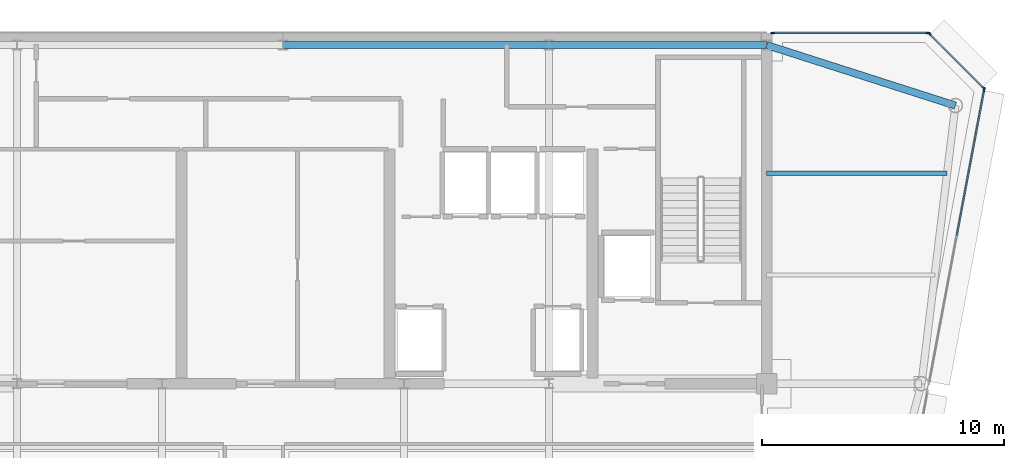
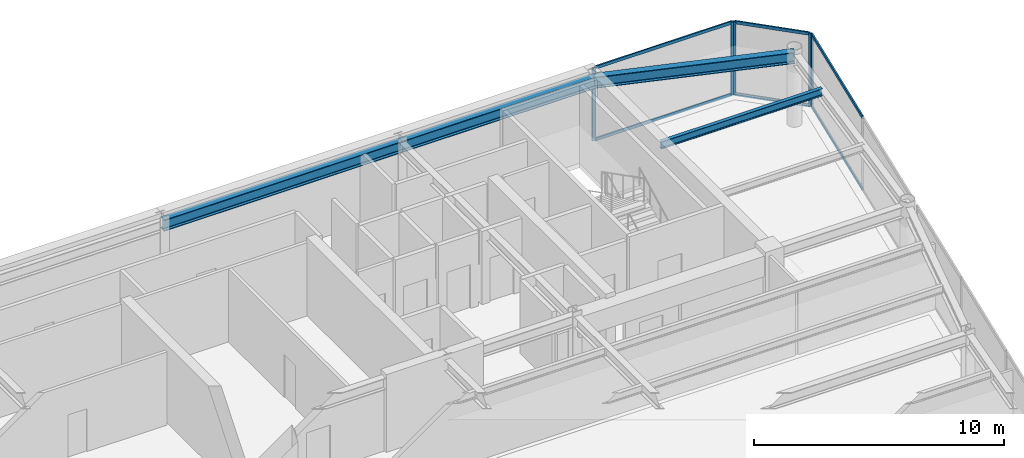
# One storey, part 9 of 19: 11 members, 4 beams, 3 elements without a shape of their own.
"""IFC4 building model written with IfcOpenShell, lengths in metres."""

from ifc_helpers import new_model, si_unit, direction, frame, origin, origin_2d, place, context, subcontext, project, spatial, rectangle, i_section, extrude, source, transform, mapped, material, layer, layer_set, material_profile, profile_set, type_object, element, aggregate, save


model = new_model("IFC4")

# Units and contexts
model_context = context("Model", 3, precision=1e-05, world=origin(), true_north=direction((0.0, 1.0)))
body_context = subcontext(model_context, "Body", "Model", "MODEL_VIEW")
ifc_project = project(units=[si_unit("LENGTHUNIT", "METRE"), si_unit("AREAUNIT", "SQUARE_METRE"), si_unit("VOLUMEUNIT", "CUBIC_METRE"), si_unit("PLANEANGLEUNIT", "RADIAN"), si_unit("MASSUNIT", "GRAM", prefix="KILO")], contexts=[model_context])

# Site, building, storey
site_placement = place(None, origin())
site = spatial("IfcSite", under=ifc_project, at=site_placement, CompositionType="ELEMENT")
building_placement = place(site_placement, origin())
building = spatial("IfcBuilding", under=site, at=building_placement, Name="Vaeldorn Concourse Tower", CompositionType="ELEMENT")
storey_placement = place(building_placement, frame((0.0, 0.0, 276.39990234375)))
storey = spatial("IfcBuildingStorey", under=building, at=storey_placement, Name="L71", CompositionType="ELEMENT", Elevation=276.39990234375)

# Beams
ifc_material_1 = material(Name="Steel S355", Category="steel")
ifc_material_profile_1 = material_profile(ifc_material_1, i_section(OverallWidth=0.300048828125, OverallDepth=0.550048828125, WebThickness=0.014892578125, FlangeThickness=0.029052734375, FilletRadius=0.027099609375, at=origin_2d()), Name="HEB 550")
ifc_profile_set_1 = profile_set([ifc_material_profile_1], Name="Steel S355")
beam_type_1 = type_object("IfcBeamType", Name="BM-PG-HEB550", PredefinedType="BEAM", material=ifc_profile_set_1)
shared_shape_1 = source(origin(), body_context, "Body", "SweptSolid", [
    extrude(i_section(OverallWidth=0.300048828125, OverallDepth=0.550048828125, WebThickness=0.014892578125, FlangeThickness=0.029052734375, FilletRadius=0.027099609375, at=origin_2d()), origin(), (0.0, 0.0, 1.0), 9.0),
])
beam_1_placement = place(storey_placement, frame((45.0, 50.5, 3.30517578125), z_axis=(1.0, 0.0, 0.0), x_axis=(0.0, 1.0, 0.0)))
element("IfcBeam", 1, at=beam_1_placement, inside=storey, type_object=beam_type_1, Name="Beam BM-L71-C-HC4-C-HC5", PredefinedType="BEAM", context=body_context, shape_type="MappedRepresentation", body=[
    mapped(shared_shape_1, transform((0.0, 0.0, 0.0), scale=1.0)),
])
shared_shape_2 = source(origin(), body_context, "Body", "SweptSolid", [
    extrude(i_section(OverallWidth=0.300048828125, OverallDepth=0.550048828125, WebThickness=0.014892578125, FlangeThickness=0.029052734375, FilletRadius=0.027099609375, at=origin_2d()), origin(), (0.0, 0.0, 1.0), 11.0),
])
beam_2_placement = place(storey_placement, frame((34.0, 50.5, 3.30517578125), z_axis=(1.0, 0.0, 0.0), x_axis=(0.0, 1.0, 0.0)))
element("IfcBeam", 2, at=beam_2_placement, inside=storey, type_object=beam_type_1, Name="Beam BM-L71-C-HC3-C-HC4", PredefinedType="BEAM", context=body_context, shape_type="MappedRepresentation", body=[
    mapped(shared_shape_2, transform((0.0, 0.0, 0.0), scale=1.0)),
])
shared_shape_3 = source(origin(), body_context, "Body", "SweptSolid", [
    extrude(i_section(OverallWidth=0.300048828125, OverallDepth=0.550048828125, WebThickness=0.014892578125, FlangeThickness=0.029052734375, FilletRadius=0.027099609375, at=origin_2d()), origin(), (0.0, 0.0, 1.0), 8.19091796875),
])
beam_3_placement = place(storey_placement, frame((54.0, 50.5, 3.30517578125), z_axis=(0.952282843383, -0.305216949396, 0.0), x_axis=(0.305216949396, 0.952282843383, 0.0)))
element("IfcBeam", 3, at=beam_3_placement, inside=storey, type_object=beam_type_1, Name="Beam BM-L71-C-HC5-C-NE1", PredefinedType="BEAM", context=body_context, shape_type="MappedRepresentation", body=[
    mapped(shared_shape_3, transform((0.0, 0.0, 0.0), scale=1.0)),
])
ifc_material_profile_2 = material_profile(ifc_material_1, i_section(OverallWidth=0.169921875, OverallDepth=0.360107421875, WebThickness=0.008056640625, FlangeThickness=0.0126953125, FilletRadius=0.01806640625, at=origin_2d()), Name="IPE 360")
ifc_profile_set_2 = profile_set([ifc_material_profile_2], Name="Steel S355")
beam_type_2 = type_object("IfcBeamType", Name="BM-JS-IPE360", PredefinedType="JOIST", material=ifc_profile_set_2)
shared_shape_4 = source(origin(), body_context, "Body", "SweptSolid", [
    extrude(i_section(OverallWidth=0.169921875, OverallDepth=0.360107421875, WebThickness=0.008056640625, FlangeThickness=0.0126953125, FilletRadius=0.01806640625, at=origin_2d()), origin(), (0.0, 0.0, 1.0), 7.458984375),
])
beam_4_placement = place(storey_placement, frame((54.0, 45.199951171875, 3.400146484375), z_axis=(1.0, 0.0, 0.0), x_axis=(0.0, 1.0, 0.0)))
element("IfcBeam", 4, at=beam_4_placement, inside=storey, type_object=beam_type_2, Name="Beam JS-L71-NE-452", PredefinedType="JOIST", context=body_context, shape_type="MappedRepresentation", body=[
    mapped(shared_shape_4, transform((0.0, 0.0, 0.0), scale=1.0)),
])

# Curtain wall, members
ifc_material_2 = material(Name="Anodised Bronze Aluminium", Category="aluminium")
ifc_layer = layer(ifc_material_2, 0.179931640625)
ifc_layer_set = layer_set([ifc_layer], Name="Anodised Bronze Aluminium")
curtain_wall_type = type_object("IfcCurtainWallType", Name="CW-SYS-05", PredefinedType="NOTDEFINED", material=ifc_layer_set)
curtain_wall_1_placement = place(storey_placement, origin())
curtain_wall_1 = element("IfcCurtainWall", 5, at=curtain_wall_1_placement, inside=storey, type_object=curtain_wall_type, Name="Unitised Curtain Wall CW-L71-E08-1", PredefinedType="NOTDEFINED")
ifc_material_profile_3 = material_profile(ifc_material_2, rectangle(XDim=0.06494140625, YDim=0.14990234375, at=origin_2d()), Name="CWT 65x150")
ifc_profile_set_3 = profile_set([ifc_material_profile_3], Name="Anodised Bronze Aluminium")
member_type_1 = type_object("IfcMemberType", Name="CWT-BRONZE-150", PredefinedType="USERDEFINED", material=ifc_profile_set_3)
shared_shape_5 = source(origin(), body_context, "Body", "SweptSolid", [
    extrude(rectangle(XDim=0.06494140625, YDim=0.14990234375, at=origin_2d()), origin(), (0.0, 0.0, 1.0), 3.123046875),
])
member_1_placement = place(storey_placement, frame((62.9541015625, 48.745849609375, 0.03271484375), z_axis=(-0.707106781187, 0.707106781187, 0.0), x_axis=(-0.707106781187, -0.707106781187, 0.0)))
member_1 = element("IfcMember", 6, at=member_1_placement, type_object=member_type_1, Name="CW-05 transom 1.1", ObjectType="TRANSOM", PredefinedType="USERDEFINED", context=body_context, shape_type="MappedRepresentation", body=[
    mapped(shared_shape_5, transform((0.0, 0.0, 0.0), scale=1.0)),
])
member_2_placement = place(storey_placement, frame((62.9541015625, 48.745849609375, 3.547607421875), z_axis=(-0.707106781187, 0.707106781187, 0.0), x_axis=(-0.707106781187, -0.707106781187, 0.0)))
member_2 = element("IfcMember", 7, at=member_2_placement, type_object=member_type_1, Name="CW-05 transom 1.2", ObjectType="TRANSOM", PredefinedType="USERDEFINED", context=body_context, shape_type="MappedRepresentation", body=[
    mapped(shared_shape_5, transform((0.0, 0.0, 0.0), scale=1.0)),
])

# Curtain wall, member
curtain_wall_2_placement = place(storey_placement, origin())
curtain_wall_2 = element("IfcCurtainWall", 8, at=curtain_wall_2_placement, inside=storey, type_object=curtain_wall_type, Name="Unitised Curtain Wall CW-L71-E07-2", PredefinedType="NOTDEFINED")
ifc_material_profile_4 = material_profile(ifc_material_2, rectangle(XDim=0.06494140625, YDim=0.169921875, at=origin_2d()), Name="CWM 65x170")
ifc_profile_set_4 = profile_set([ifc_material_profile_4], Name="Anodised Bronze Aluminium")
member_type_2 = type_object("IfcMemberType", Name="CWM-BRONZE-170", PredefinedType="MULLION", material=ifc_profile_set_4)
shared_shape_6 = source(origin(), body_context, "Body", "SweptSolid", [
    extrude(rectangle(XDim=0.06494140625, YDim=0.169921875, at=origin_2d()), origin(), (0.0, 0.0, 1.0), 3.580078125),
])
member_3_placement = place(storey_placement, frame((62.993896484375, 48.66796875, 0.0), z_axis=(0.0, 0.0, 1.0), x_axis=(-0.982880218842, 0.184245693053, 0.0)))
member_3 = element("IfcMember", 9, at=member_3_placement, type_object=member_type_2, Name="CW-05 mullion 3", PredefinedType="MULLION", context=body_context, shape_type="MappedRepresentation", body=[
    mapped(shared_shape_6, transform((0.0, 0.0, 0.0), scale=1.0)),
])

# Member
member_4_placement = place(storey_placement, frame((62.97705078125, 48.722900390625, 0.0), z_axis=(0.0, 0.0, 1.0), x_axis=(-0.707106781187, -0.707106781187, 0.0)))
member_4 = element("IfcMember", 10, at=member_4_placement, type_object=member_type_2, Name="CW-05 mullion 1", PredefinedType="MULLION", context=body_context, shape_type="MappedRepresentation", body=[
    mapped(shared_shape_6, transform((0.0, 0.0, 0.0), scale=1.0)),
])

member_5_placement = place(storey_placement, frame((60.722900390625, 50.97705078125, 0.0), z_axis=(0.0, 0.0, 1.0), x_axis=(-0.707106781187, -0.707106781187, 0.0)))
member_5 = element("IfcMember", 11, at=member_5_placement, type_object=member_type_2, Name="CW-05 mullion 2", PredefinedType="MULLION", context=body_context, shape_type="MappedRepresentation", body=[
    mapped(shared_shape_6, transform((0.0, 0.0, 0.0), scale=1.0)),
])

aggregate(curtain_wall_1, [member_4, member_5, member_1, member_2])

# Curtain wall, members
curtain_wall_3_placement = place(storey_placement, origin())
curtain_wall_3 = element("IfcCurtainWall", 12, at=curtain_wall_3_placement, inside=storey, type_object=curtain_wall_type, Name="Unitised Curtain Wall CW-L71-E09-1", PredefinedType="NOTDEFINED")
member_6_placement = place(storey_placement, frame((60.66748046875, 51.0, 0.0), z_axis=(0.0, 0.0, 1.0), x_axis=(0.0, -1.0, 0.0)))
member_6 = element("IfcMember", 13, at=member_6_placement, type_object=member_type_2, Name="CW-05 mullion 1", PredefinedType="MULLION", context=body_context, shape_type="MappedRepresentation", body=[
    mapped(shared_shape_6, transform((0.0, 0.0, 0.0), scale=1.0)),
])
member_7_placement = place(storey_placement, frame((54.25244140625, 51.0, 0.0), z_axis=(0.0, 0.0, 1.0), x_axis=(0.0, -1.0, 0.0)))
member_7 = element("IfcMember", 14, at=member_7_placement, type_object=member_type_2, Name="CW-05 mullion 2", PredefinedType="MULLION", context=body_context, shape_type="MappedRepresentation", body=[
    mapped(shared_shape_6, transform((0.0, 0.0, 0.0), scale=1.0)),
])
shared_shape_7 = source(origin(), body_context, "Body", "SweptSolid", [
    extrude(rectangle(XDim=0.06494140625, YDim=0.14990234375, at=origin_2d()), origin(), (0.0, 0.0, 1.0), 6.35009765625),
])
member_8_placement = place(storey_placement, frame((60.635009765625, 51.0, 0.03271484375), z_axis=(-1.0, 0.0, 0.0), x_axis=(0.0, -1.0, 0.0)))
member_8 = element("IfcMember", 15, at=member_8_placement, type_object=member_type_1, Name="CW-05 transom 1.1", ObjectType="TRANSOM", PredefinedType="USERDEFINED", context=body_context, shape_type="MappedRepresentation", body=[
    mapped(shared_shape_7, transform((0.0, 0.0, 0.0), scale=1.0)),
])
member_9_placement = place(storey_placement, frame((60.635009765625, 51.0, 3.547607421875), z_axis=(-1.0, 0.0, 0.0), x_axis=(0.0, -1.0, 0.0)))
member_9 = element("IfcMember", 16, at=member_9_placement, type_object=member_type_1, Name="CW-05 transom 1.2", ObjectType="TRANSOM", PredefinedType="USERDEFINED", context=body_context, shape_type="MappedRepresentation", body=[
    mapped(shared_shape_7, transform((0.0, 0.0, 0.0), scale=1.0)),
])
aggregate(curtain_wall_3, [member_6, member_7, member_8, member_9])

# Member
shared_shape_8 = source(origin(), body_context, "Body", "SweptSolid", [
    extrude(rectangle(XDim=0.06494140625, YDim=0.14990234375, at=origin_2d()), origin(), (0.0, 0.0, 1.0), 6.103515625),
])
member_10_placement = place(storey_placement, frame((61.863525390625, 42.63720703125, 0.03271484375), z_axis=(0.18424023288, 0.982881242363, 0.0), x_axis=(-0.982881242363, 0.18424023288, 0.0)))
member_10 = element("IfcMember", 17, at=member_10_placement, type_object=member_type_1, Name="CW-05 transom 2.1", ObjectType="TRANSOM", PredefinedType="USERDEFINED", context=body_context, shape_type="MappedRepresentation", body=[
    mapped(shared_shape_8, transform((0.0, 0.0, 0.0), scale=1.0)),
])

member_11_placement = place(storey_placement, frame((61.863525390625, 42.63720703125, 3.547607421875), z_axis=(0.18424023288, 0.982881242363, 0.0), x_axis=(-0.982881242363, 0.18424023288, 0.0)))
member_11 = element("IfcMember", 18, at=member_11_placement, type_object=member_type_1, Name="CW-05 transom 2.2", ObjectType="TRANSOM", PredefinedType="USERDEFINED", context=body_context, shape_type="MappedRepresentation", body=[
    mapped(shared_shape_8, transform((0.0, 0.0, 0.0), scale=1.0)),
])

aggregate(curtain_wall_2, [member_3, member_10, member_11])

save(model, "model.ifc")
